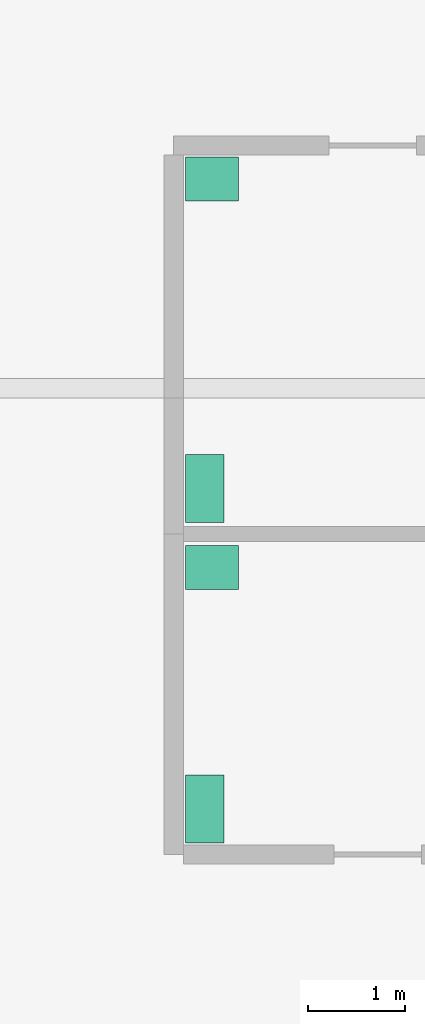
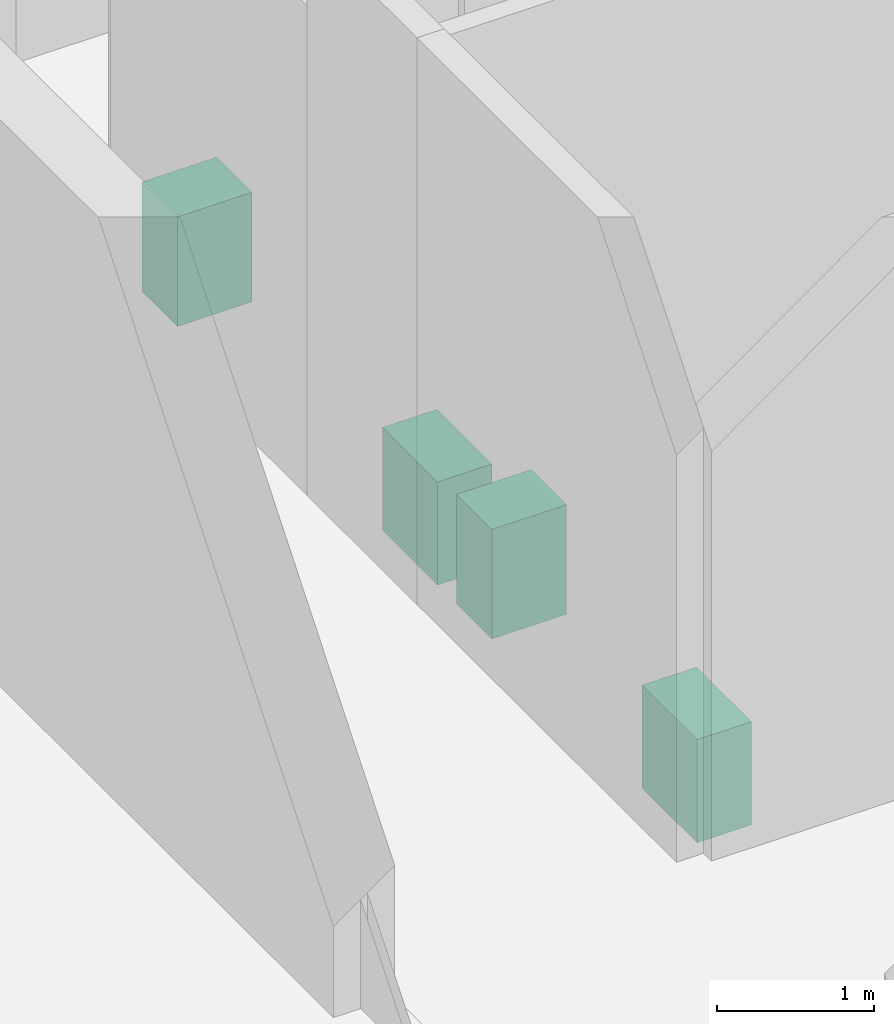
# One storey, part 15 of 15: 4 sanitary terminals.
"""IFC4 building model written with IfcOpenShell, lengths in metres."""

from ifc_helpers import new_model, si_unit, direction, frame, origin, origin_2d, place, context, subcontext, project, spatial, rectangle, extrude, material, type_object, element, save


model = new_model("IFC4")

# Units and contexts
model_context = context("Model", 3, precision=1e-05, world=origin(), true_north=direction((0.0, 1.0)))
body_context = subcontext(model_context, "Body", "Model", "MODEL_VIEW")
ifc_project = project(units=[si_unit("LENGTHUNIT", "METRE"), si_unit("AREAUNIT", "SQUARE_METRE"), si_unit("VOLUMEUNIT", "CUBIC_METRE"), si_unit("PLANEANGLEUNIT", "RADIAN"), si_unit("MASSUNIT", "GRAM", prefix="KILO")], contexts=[model_context])

# Site, building, storey
site_placement = place(None, origin())
site = spatial("IfcSite", under=ifc_project, at=site_placement, CompositionType="ELEMENT")
building_placement = place(site_placement, origin())
building = spatial("IfcBuilding", under=site, at=building_placement, Name="Kitamizu Gate Tower and Museum", CompositionType="ELEMENT")
storey_placement = place(building_placement, frame((0.0, 0.0, 273.14990234375)))
storey = spatial("IfcBuildingStorey", under=building, at=storey_placement, Name="L74", CompositionType="ELEMENT", Elevation=273.14990234375)

# Sanitary terminals
ifc_material_1 = material(Name="Vitreous china")
sanitary_terminal_type_1 = type_object("IfcSanitaryTerminalType", Name="Wash hand basin", PredefinedType="WASHHANDBASIN", material=ifc_material_1)
for number, where, z_axis, x_axis, name in (
    (1, (26.294921875, 38.155029296875, 0.0009765625), (0.0, 0.0, 1.0), (1.0, 0.0, 0.0), "Wash hand basin Public WC"),
    (2, (26.294921875, 34.155029296875, 0.0009765625), (0.0, 0.0, 1.0), (1.0, 0.0, 0.0), "Wash hand basin Accessible WC"),
):
    element("IfcSanitaryTerminal", number, at=place(storey_placement, frame(where, z_axis=z_axis, x_axis=x_axis)), inside=storey, type_object=sanitary_terminal_type_1, Name=name, PredefinedType="WASHHANDBASIN", context=body_context, shape_type="SweptSolid", body=[
        extrude(rectangle(XDim=0.550048828125, YDim=0.449951171875, at=origin_2d()), origin(), (0.0, 0.0, 1.0), 0.85009765625),
    ])
ifc_material_2 = material(Name="Vitreous china")
sanitary_terminal_type_2 = type_object("IfcSanitaryTerminalType", Name="Water closet", PredefinedType="TOILETPAN", material=ifc_material_2)
for number, where, z_axis, x_axis, name in (
    (3, (26.219970703125, 34.969970703125, 0.0009765625), (0.0, 0.0, 1.0), (1.0, 0.0, 0.0), "Water closet Public WC"),
    (4, (26.219970703125, 31.669921875, 0.0009765625), (0.0, 0.0, 1.0), (1.0, 0.0, 0.0), "Water closet Accessible WC"),
):
    element("IfcSanitaryTerminal", number, at=place(storey_placement, frame(where, z_axis=z_axis, x_axis=x_axis)), inside=storey, type_object=sanitary_terminal_type_2, Name=name, PredefinedType="TOILETPAN", context=body_context, shape_type="SweptSolid", body=[
        extrude(rectangle(XDim=0.39990234375, YDim=0.699951171875, at=origin_2d()), origin(), (0.0, 0.0, 1.0), 0.800048828125),
    ])

save(model, "model.ifc")
